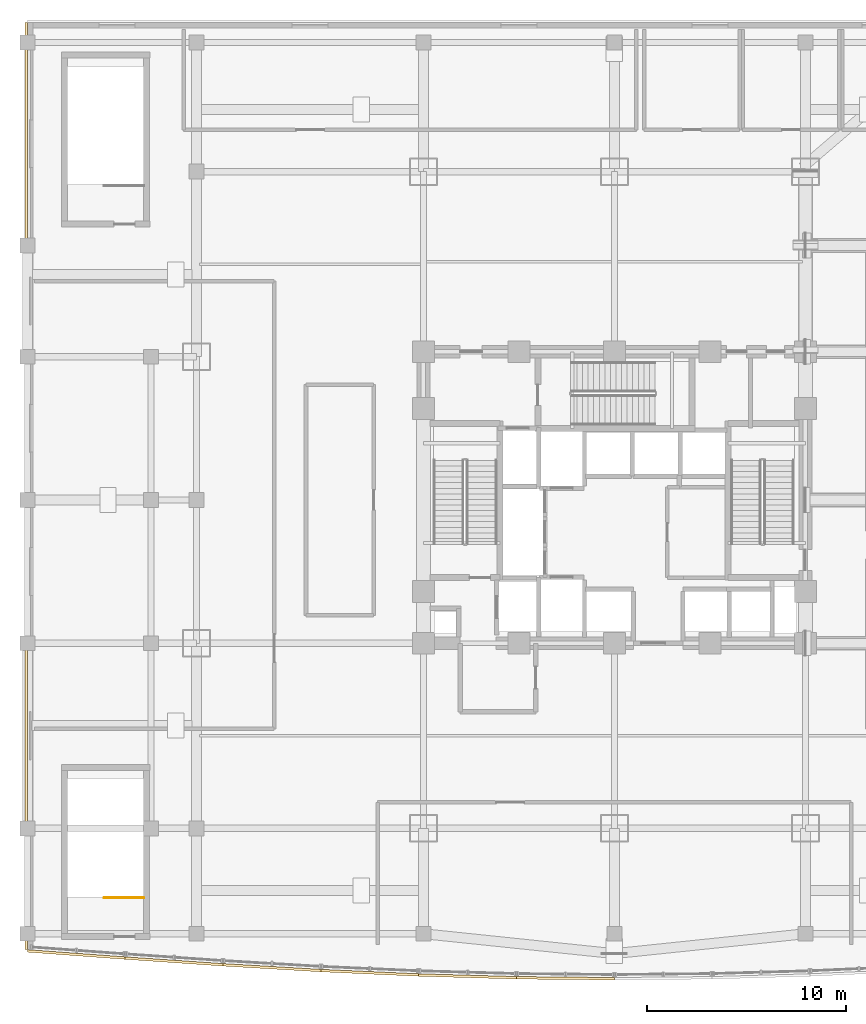
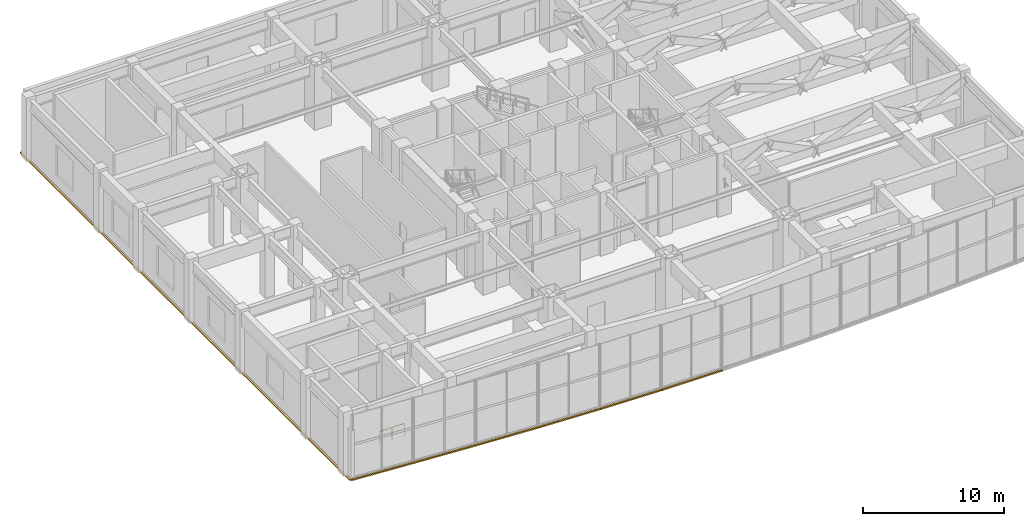
# One storey, part 16 of 19: 7 coverings, 1 railing.
"""IFC4 building model written with IfcOpenShell, lengths in metres."""

from ifc_helpers import new_model, si_unit, direction, frame, origin, origin_2d, place, context, subcontext, project, spatial, polyline, rectangle, outline, extrude, material, layer, layer_set, type_object, element, save


model = new_model("IFC4")

# Units and contexts
model_context = context("Model", 3, precision=1e-05, world=origin(), true_north=direction((0.0, 1.0)))
body_context = subcontext(model_context, "Body", "Model", "MODEL_VIEW")
ifc_project = project(units=[si_unit("LENGTHUNIT", "METRE"), si_unit("AREAUNIT", "SQUARE_METRE"), si_unit("VOLUMEUNIT", "CUBIC_METRE"), si_unit("PLANEANGLEUNIT", "RADIAN"), si_unit("MASSUNIT", "GRAM", prefix="KILO")], contexts=[model_context])

# Site, building, storey
site_placement = place(None, origin())
site = spatial("IfcSite", under=ifc_project, at=site_placement, CompositionType="ELEMENT")
building_placement = place(site_placement, origin())
building = spatial("IfcBuilding", under=site, at=building_placement, Name="Vantalir Tower", CompositionType="ELEMENT")
storey_placement = place(building_placement, frame((0.0, 0.0, 21.5)))
storey = spatial("IfcBuildingStorey", under=building, at=storey_placement, Name="L04", CompositionType="ELEMENT", Elevation=21.5)

# Coverings
ifc_material_1 = material(Name="Anodised champagne aluminium sill fascia", Category="aluminium")
ifc_layer = layer(ifc_material_1, 0.125)
ifc_layer_set = layer_set([ifc_layer], Name="Anodised champagne aluminium sill fascia")
covering_type = type_object("IfcCoveringType", Name="COV-SLAB-FASCIA-125", PredefinedType="CLADDING", material=ifc_layer_set)
covering_1_placement = place(storey_placement, frame((0.0, 0.0, -0.179931640625)))
element("IfcCovering", 1, at=covering_1_placement, inside=storey, type_object=covering_type, Name="L04 Podium Slab-Edge Fascia W", PredefinedType="CLADDING", context=body_context, shape_type="SweptSolid", body=[
    extrude(outline(polyline([(1.875, 2.39990234375), (2.0, 2.39990234375), (2.0, 49.0), (1.875, 49.0), (1.875, 2.39990234375)])), origin(), (0.0, 0.0, 1.0), 0.10498046875),
])
covering_2_placement = place(storey_placement, frame((0.0, 0.0, -0.179931640625)))
element("IfcCovering", 2, at=covering_2_placement, inside=storey, type_object=covering_type, Name="L04 South Prow Slab-Edge Fascia 01", PredefinedType="CLADDING", context=body_context, shape_type="SweptSolid", body=[
    extrude(outline(polyline([(2.0, 2.39990234375), (1.990966796875, 2.27490234375), (6.907958984375, 1.9130859375), (6.9169921875, 2.0380859375), (2.0, 2.39990234375)])), origin(), (0.0, 0.0, 1.0), 0.10498046875),
])
covering_3_placement = place(storey_placement, frame((0.0, 0.0, -0.179931640625)))
element("IfcCovering", 3, at=covering_3_placement, inside=storey, type_object=covering_type, Name="L04 South Prow Slab-Edge Fascia 02", PredefinedType="CLADDING", context=body_context, shape_type="SweptSolid", body=[
    extrude(outline(polyline([(6.9169921875, 2.0380859375), (6.907958984375, 1.9130859375), (11.823974609375, 1.574951171875), (11.8330078125, 1.699951171875), (6.9169921875, 2.0380859375)])), origin(), (0.0, 0.0, 1.0), 0.10498046875),
])
covering_4_placement = place(storey_placement, frame((0.0, 0.0, -0.179931640625)))
element("IfcCovering", 4, at=covering_4_placement, inside=storey, type_object=covering_type, Name="L04 South Prow Slab-Edge Fascia 03", PredefinedType="CLADDING", context=body_context, shape_type="SweptSolid", body=[
    extrude(outline(polyline([(11.8330078125, 1.699951171875), (11.825927734375, 1.574951171875), (16.742919921875, 1.284912109375), (16.75, 1.409912109375), (11.8330078125, 1.699951171875)])), origin(), (0.0, 0.0, 1.0), 0.10498046875),
])
covering_5_placement = place(storey_placement, frame((0.0, 0.0, -0.179931640625)))
element("IfcCovering", 5, at=covering_5_placement, inside=storey, type_object=covering_type, Name="L04 South Prow Slab-Edge Fascia 04", PredefinedType="CLADDING", context=body_context, shape_type="SweptSolid", body=[
    extrude(outline(polyline([(16.75, 1.409912109375), (16.743896484375, 1.284912109375), (21.660888671875, 1.06298828125), (21.6669921875, 1.18798828125), (16.75, 1.409912109375)])), origin(), (0.0, 0.0, 1.0), 0.10498046875),
])
covering_6_placement = place(storey_placement, frame((0.0, 0.0, -0.179931640625)))
element("IfcCovering", 6, at=covering_6_placement, inside=storey, type_object=covering_type, Name="L04 South Prow Slab-Edge Fascia 05", PredefinedType="CLADDING", context=body_context, shape_type="SweptSolid", body=[
    extrude(outline(polyline([(21.6669921875, 1.18798828125), (21.6630859375, 1.06298828125), (26.5791015625, 0.923095703125), (26.5830078125, 1.048095703125), (21.6669921875, 1.18798828125)])), origin(), (0.0, 0.0, 1.0), 0.10498046875),
])
covering_7_placement = place(storey_placement, frame((0.0, 0.0, -0.179931640625)))
element("IfcCovering", 7, at=covering_7_placement, inside=storey, type_object=covering_type, Name="L04 South Prow Slab-Edge Fascia 06", PredefinedType="CLADDING", context=body_context, shape_type="SweptSolid", body=[
    extrude(outline(polyline([(26.5830078125, 1.048095703125), (26.58203125, 0.923095703125), (31.4990234375, 0.875), (31.5, 1.0), (26.5830078125, 1.048095703125)])), origin(), (0.0, 0.0, 1.0), 0.10498046875),
])

# Railing
ifc_material_2 = material(Name="Anodised aluminium and stainless steel guard", Category="steel")
railing_type = type_object("IfcRailingType", Name="RAL-GUARD-1120", PredefinedType="GUARDRAIL", material=ifc_material_2)
railing_placement = place(storey_placement, frame((7.85009765625, 5.0, 0.0)))
element("IfcRailing", 8, at=railing_placement, inside=storey, type_object=railing_type, Name="L04 PST3 top well guard 1", PredefinedType="GUARDRAIL", context=body_context, shape_type="SweptSolid", body=[
    extrude(rectangle(XDim=0.048095703125, YDim=0.048095703125, at=origin_2d()), frame((0.0, 0.0, 1.09619140625), z_axis=(-1.0, 0.0, 0.0), x_axis=(0.0, -1.0, 0.0)), (0.0, 0.0, 1.0), 2.0),
    extrude(rectangle(XDim=0.0419921875, YDim=0.0419921875, at=origin_2d()), origin(), (0.0, 0.0, 1.0), 1.072021484375),
    extrude(rectangle(XDim=0.0419921875, YDim=0.0419921875, at=origin_2d()), frame((-1.0, 0.0, 0.0)), (0.0, 0.0, 1.0), 1.072021484375),
    extrude(rectangle(XDim=0.0419921875, YDim=0.0419921875, at=origin_2d()), frame((-2.0, 0.0, 0.0)), (0.0, 0.0, 1.0), 1.072021484375),
])

save(model, "model.ifc")
